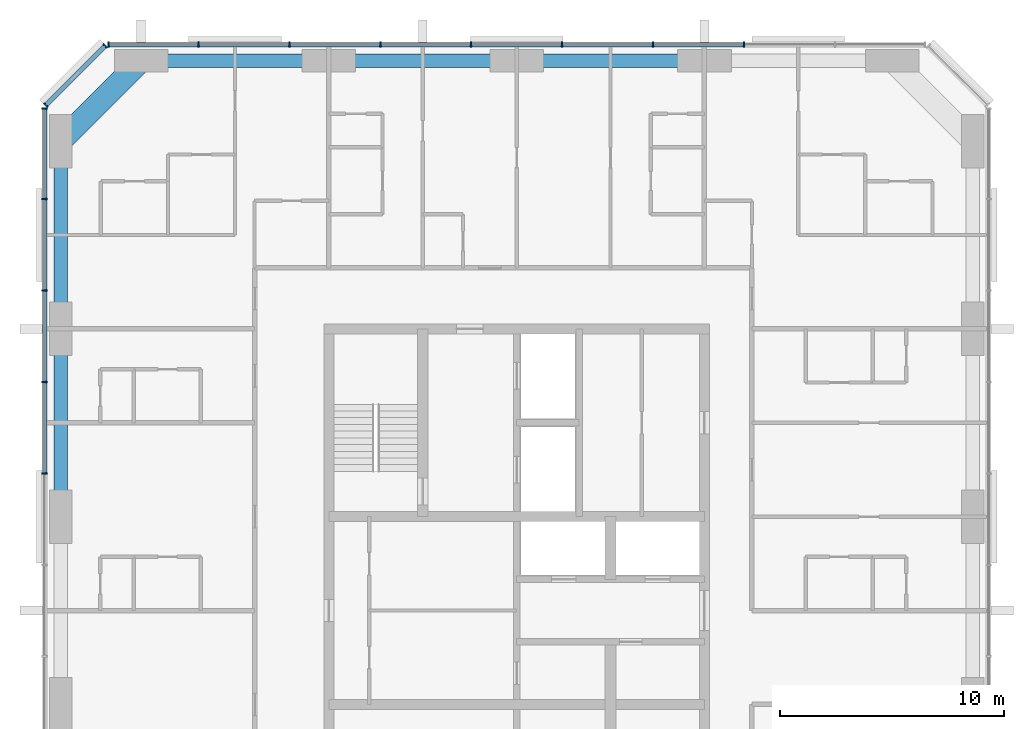
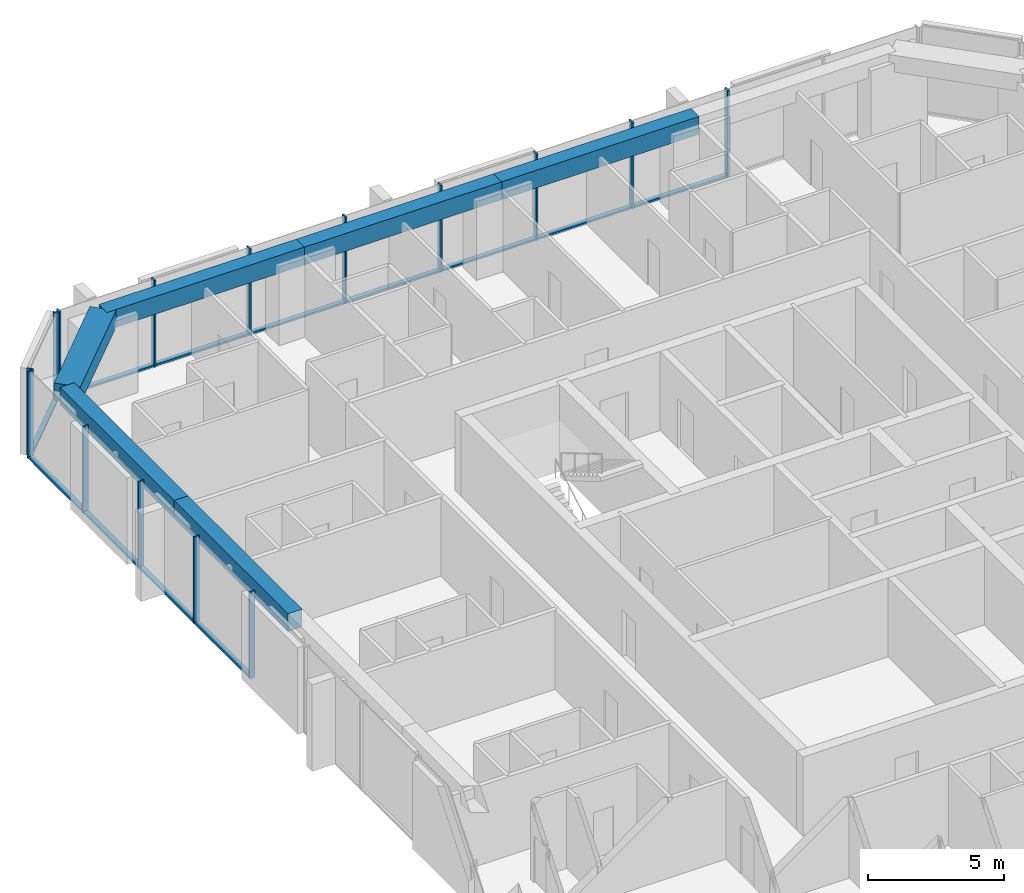
# One storey, part 4 of 13: 27 members, 6 beams, 3 elements without a shape of their own.
"""IFC4 building model written with IfcOpenShell, lengths in metres."""

from ifc_helpers import new_model, si_unit, direction, frame, origin, origin_2d, place, context, subcontext, project, spatial, rectangle, extrude, material, material_profile, profile_set, type_object, element, aggregate, save


model = new_model("IFC4")

# Units and contexts
model_context = context("Model", 3, precision=1e-05, world=origin(), true_north=direction((0.0, 1.0)))
body_context = subcontext(model_context, "Body", "Model", "MODEL_VIEW")
ifc_project = project(units=[si_unit("LENGTHUNIT", "METRE"), si_unit("AREAUNIT", "SQUARE_METRE"), si_unit("VOLUMEUNIT", "CUBIC_METRE"), si_unit("PLANEANGLEUNIT", "RADIAN"), si_unit("MASSUNIT", "GRAM", prefix="KILO")], contexts=[model_context])

# Site, building, storey
site_placement = place(None, origin())
site = spatial("IfcSite", under=ifc_project, at=site_placement, CompositionType="ELEMENT")
building_placement = place(site_placement, origin())
building = spatial("IfcBuilding", under=site, at=building_placement, Name="Dunama Terrace Hotel", CompositionType="ELEMENT")
storey_placement = place(building_placement, frame((0.0, 0.0, 276.300048828125)))
storey = spatial("IfcBuildingStorey", under=building, at=storey_placement, Name="L71", CompositionType="ELEMENT", Elevation=276.300048828125)

# Curtain wall, members
ifc_material_1 = material(Name="Aluminium curtain wall system", Category="aluminium")
curtain_wall_type = type_object("IfcCurtainWallType", Name="Unitised fritted glass wall CW-D", PredefinedType="NOTDEFINED", material=ifc_material_1)
curtain_wall_1_placement = place(storey_placement, origin())
curtain_wall_1 = element("IfcCurtainWall", 1, at=curtain_wall_1_placement, inside=storey, type_object=curtain_wall_type, Name="Unitised fritted glass wall CW-D L71", PredefinedType="NOTDEFINED")
ifc_material_2 = material(Name="Aluminium mullion", Category="aluminium")
ifc_material_profile_1 = material_profile(ifc_material_2, rectangle(XDim=0.070068359375, YDim=0.239990234375, at=origin_2d()), Name="CWD MULLION 70X240")
ifc_profile_set_1 = profile_set([ifc_material_profile_1], Name="Aluminium mullion")
member_type_1 = type_object("IfcMemberType", Name="CWD mullion 70x240", PredefinedType="MULLION", material=ifc_profile_set_1)
member_1_placement = place(storey_placement, frame((43.76708984375, 54.719970703125, 0.0), z_axis=(0.0, 0.0, 1.0), x_axis=(-1.0, 0.0, 0.0)))
member_1 = element("IfcMember", 2, at=member_1_placement, type_object=member_type_1, Name="CWD mullion", PredefinedType="MULLION", context=body_context, shape_type="SweptSolid", body=[
    extrude(rectangle(XDim=0.070068359375, YDim=0.239990234375, at=origin_2d()), origin(), (0.0, 0.0, 1.0), 3.89990234375),
])
member_2_placement = place(storey_placement, frame((39.699951171875, 54.719970703125, 0.0), z_axis=(0.0, 0.0, 1.0), x_axis=(-1.0, 0.0, 0.0)))
member_2 = element("IfcMember", 3, at=member_2_placement, type_object=member_type_1, Name="CWD mullion", PredefinedType="MULLION", context=body_context, shape_type="SweptSolid", body=[
    extrude(rectangle(XDim=0.070068359375, YDim=0.239990234375, at=origin_2d()), origin(), (0.0, 0.0, 1.0), 3.89990234375),
])
member_3_placement = place(storey_placement, frame((35.633056640625, 54.719970703125, 0.0), z_axis=(0.0, 0.0, 1.0), x_axis=(-1.0, 0.0, 0.0)))
member_3 = element("IfcMember", 4, at=member_3_placement, type_object=member_type_1, Name="CWD mullion", PredefinedType="MULLION", context=body_context, shape_type="SweptSolid", body=[
    extrude(rectangle(XDim=0.070068359375, YDim=0.239990234375, at=origin_2d()), origin(), (0.0, 0.0, 1.0), 3.89990234375),
])
member_4_placement = place(storey_placement, frame((31.56689453125, 54.719970703125, 0.0), z_axis=(0.0, 0.0, 1.0), x_axis=(-1.0, 0.0, 0.0)))
member_4 = element("IfcMember", 5, at=member_4_placement, type_object=member_type_1, Name="CWD mullion", PredefinedType="MULLION", context=body_context, shape_type="SweptSolid", body=[
    extrude(rectangle(XDim=0.070068359375, YDim=0.239990234375, at=origin_2d()), origin(), (0.0, 0.0, 1.0), 3.89990234375),
])
member_5_placement = place(storey_placement, frame((27.5, 54.719970703125, 0.0), z_axis=(0.0, 0.0, 1.0), x_axis=(-1.0, 0.0, 0.0)))
member_5 = element("IfcMember", 6, at=member_5_placement, type_object=member_type_1, Name="CWD mullion", PredefinedType="MULLION", context=body_context, shape_type="SweptSolid", body=[
    extrude(rectangle(XDim=0.070068359375, YDim=0.239990234375, at=origin_2d()), origin(), (0.0, 0.0, 1.0), 3.89990234375),
])
member_6_placement = place(storey_placement, frame((23.43310546875, 54.719970703125, 0.0), z_axis=(0.0, 0.0, 1.0), x_axis=(-1.0, 0.0, 0.0)))
member_6 = element("IfcMember", 7, at=member_6_placement, type_object=member_type_1, Name="CWD mullion", PredefinedType="MULLION", context=body_context, shape_type="SweptSolid", body=[
    extrude(rectangle(XDim=0.070068359375, YDim=0.239990234375, at=origin_2d()), origin(), (0.0, 0.0, 1.0), 3.89990234375),
])
member_7_placement = place(storey_placement, frame((19.366943359375, 54.719970703125, 0.0), z_axis=(0.0, 0.0, 1.0), x_axis=(-1.0, 0.0, 0.0)))
member_7 = element("IfcMember", 8, at=member_7_placement, type_object=member_type_1, Name="CWD mullion", PredefinedType="MULLION", context=body_context, shape_type="SweptSolid", body=[
    extrude(rectangle(XDim=0.070068359375, YDim=0.239990234375, at=origin_2d()), origin(), (0.0, 0.0, 1.0), 3.89990234375),
])
member_8_placement = place(storey_placement, frame((15.3349609375, 54.719970703125, 0.0), z_axis=(0.0, 0.0, 1.0), x_axis=(-1.0, 0.0, 0.0)))
member_8 = element("IfcMember", 9, at=member_8_placement, type_object=member_type_1, Name="CWD mullion", PredefinedType="MULLION", context=body_context, shape_type="SweptSolid", body=[
    extrude(rectangle(XDim=0.070068359375, YDim=0.239990234375, at=origin_2d()), origin(), (0.0, 0.0, 1.0), 3.89990234375),
])

curtain_wall_2_placement = place(storey_placement, origin())
curtain_wall_2 = element("IfcCurtainWall", 10, at=curtain_wall_2_placement, inside=storey, type_object=curtain_wall_type, Name="Unitised fritted glass wall CW-D L71", PredefinedType="NOTDEFINED")
member_9_placement = place(storey_placement, frame((15.18994140625, 54.659912109375, 0.0), z_axis=(0.0, 0.0, 1.0), x_axis=(-0.707106781187, -0.707106781187, 0.0)))
member_9 = element("IfcMember", 11, at=member_9_placement, type_object=member_type_1, Name="CWD mullion", PredefinedType="MULLION", context=body_context, shape_type="SweptSolid", body=[
    extrude(rectangle(XDim=0.070068359375, YDim=0.239990234375, at=origin_2d()), origin(), (0.0, 0.0, 1.0), 3.89990234375),
])
member_10_placement = place(storey_placement, frame((12.5400390625, 52.010009765625, 0.0), z_axis=(0.0, 0.0, 1.0), x_axis=(-0.707106781187, -0.707106781187, 0.0)))
member_10 = element("IfcMember", 12, at=member_10_placement, type_object=member_type_1, Name="CWD mullion", PredefinedType="MULLION", context=body_context, shape_type="SweptSolid", body=[
    extrude(rectangle(XDim=0.070068359375, YDim=0.239990234375, at=origin_2d()), origin(), (0.0, 0.0, 1.0), 3.89990234375),
])

curtain_wall_3_placement = place(storey_placement, origin())
curtain_wall_3 = element("IfcCurtainWall", 13, at=curtain_wall_3_placement, inside=storey, type_object=curtain_wall_type, Name="Unitised fritted glass wall CW-D L71", PredefinedType="NOTDEFINED")
member_11_placement = place(storey_placement, frame((12.47998046875, 51.864990234375, 0.0), z_axis=(0.0, 0.0, 1.0), x_axis=(0.0, -1.0, 0.0)))
member_11 = element("IfcMember", 14, at=member_11_placement, type_object=member_type_1, Name="CWD mullion", PredefinedType="MULLION", context=body_context, shape_type="SweptSolid", body=[
    extrude(rectangle(XDim=0.070068359375, YDim=0.239990234375, at=origin_2d()), origin(), (0.0, 0.0, 1.0), 3.89990234375),
])
member_12_placement = place(storey_placement, frame((12.47998046875, 47.80908203125, 0.0), z_axis=(0.0, 0.0, 1.0), x_axis=(0.0, -1.0, 0.0)))
member_12 = element("IfcMember", 15, at=member_12_placement, type_object=member_type_1, Name="CWD mullion", PredefinedType="MULLION", context=body_context, shape_type="SweptSolid", body=[
    extrude(rectangle(XDim=0.070068359375, YDim=0.239990234375, at=origin_2d()), origin(), (0.0, 0.0, 1.0), 3.89990234375),
])
member_13_placement = place(storey_placement, frame((12.47998046875, 43.718017578125, 0.0), z_axis=(0.0, 0.0, 1.0), x_axis=(0.0, -1.0, 0.0)))
member_13 = element("IfcMember", 16, at=member_13_placement, type_object=member_type_1, Name="CWD mullion", PredefinedType="MULLION", context=body_context, shape_type="SweptSolid", body=[
    extrude(rectangle(XDim=0.070068359375, YDim=0.239990234375, at=origin_2d()), origin(), (0.0, 0.0, 1.0), 3.89990234375),
])
member_14_placement = place(storey_placement, frame((12.47998046875, 39.626953125, 0.0), z_axis=(0.0, 0.0, 1.0), x_axis=(0.0, -1.0, 0.0)))
member_14 = element("IfcMember", 17, at=member_14_placement, type_object=member_type_1, Name="CWD mullion", PredefinedType="MULLION", context=body_context, shape_type="SweptSolid", body=[
    extrude(rectangle(XDim=0.070068359375, YDim=0.239990234375, at=origin_2d()), origin(), (0.0, 0.0, 1.0), 3.89990234375),
])
member_15_placement = place(storey_placement, frame((12.47998046875, 35.535888671875, 0.0), z_axis=(0.0, 0.0, 1.0), x_axis=(0.0, -1.0, 0.0)))
member_15 = element("IfcMember", 18, at=member_15_placement, type_object=member_type_1, Name="CWD mullion", PredefinedType="MULLION", context=body_context, shape_type="SweptSolid", body=[
    extrude(rectangle(XDim=0.070068359375, YDim=0.239990234375, at=origin_2d()), origin(), (0.0, 0.0, 1.0), 3.89990234375),
])

# Member
ifc_material_3 = material(Name="Aluminium transom", Category="aluminium")
ifc_material_profile_2 = material_profile(ifc_material_3, rectangle(XDim=0.199951171875, YDim=0.0849609375, at=origin_2d()), Name="CWD TRANSOM 200X85")
ifc_profile_set_2 = profile_set([ifc_material_profile_2], Name="Aluminium transom")
member_type_2 = type_object("IfcMemberType", Name="CWD transom 200x85", PredefinedType="USERDEFINED", material=ifc_profile_set_2)
member_16_placement = place(storey_placement, frame((43.73193359375, 54.719970703125, 0.04248046875), z_axis=(-1.0, 0.0, 0.0), x_axis=(0.0, -1.0, 0.0)))
member_16 = element("IfcMember", 19, at=member_16_placement, type_object=member_type_2, Name="CWD transom", ObjectType="TRANSOM", PredefinedType="USERDEFINED", context=body_context, shape_type="SweptSolid", body=[
    extrude(rectangle(XDim=0.199951171875, YDim=0.0849609375, at=origin_2d()), origin(), (0.0, 0.0, 1.0), 3.996826171875),
])

member_17_placement = place(storey_placement, frame((39.6650390625, 54.719970703125, 0.04248046875), z_axis=(-1.0, 0.0, 0.0), x_axis=(0.0, -1.0, 0.0)))
member_17 = element("IfcMember", 20, at=member_17_placement, type_object=member_type_2, Name="CWD transom", ObjectType="TRANSOM", PredefinedType="USERDEFINED", context=body_context, shape_type="SweptSolid", body=[
    extrude(rectangle(XDim=0.199951171875, YDim=0.0849609375, at=origin_2d()), origin(), (0.0, 0.0, 1.0), 3.9970703125),
])

member_18_placement = place(storey_placement, frame((35.597900390625, 54.719970703125, 0.04248046875), z_axis=(-1.0, 0.0, 0.0), x_axis=(0.0, -1.0, 0.0)))
member_18 = element("IfcMember", 21, at=member_18_placement, type_object=member_type_2, Name="CWD transom", ObjectType="TRANSOM", PredefinedType="USERDEFINED", context=body_context, shape_type="SweptSolid", body=[
    extrude(rectangle(XDim=0.199951171875, YDim=0.0849609375, at=origin_2d()), origin(), (0.0, 0.0, 1.0), 3.995849609375),
])

member_19_placement = place(storey_placement, frame((31.531982421875, 54.719970703125, 0.04248046875), z_axis=(-1.0, 0.0, 0.0), x_axis=(0.0, -1.0, 0.0)))
member_19 = element("IfcMember", 22, at=member_19_placement, type_object=member_type_2, Name="CWD transom", ObjectType="TRANSOM", PredefinedType="USERDEFINED", context=body_context, shape_type="SweptSolid", body=[
    extrude(rectangle(XDim=0.199951171875, YDim=0.0849609375, at=origin_2d()), origin(), (0.0, 0.0, 1.0), 3.9970703125),
])

member_20_placement = place(storey_placement, frame((27.465087890625, 54.719970703125, 0.04248046875), z_axis=(-1.0, 0.0, 0.0), x_axis=(0.0, -1.0, 0.0)))
member_20 = element("IfcMember", 23, at=member_20_placement, type_object=member_type_2, Name="CWD transom", ObjectType="TRANSOM", PredefinedType="USERDEFINED", context=body_context, shape_type="SweptSolid", body=[
    extrude(rectangle(XDim=0.199951171875, YDim=0.0849609375, at=origin_2d()), origin(), (0.0, 0.0, 1.0), 3.9970703125),
])

member_21_placement = place(storey_placement, frame((23.39794921875, 54.719970703125, 0.04248046875), z_axis=(-1.0, 0.0, 0.0), x_axis=(0.0, -1.0, 0.0)))
member_21 = element("IfcMember", 24, at=member_21_placement, type_object=member_type_2, Name="CWD transom", ObjectType="TRANSOM", PredefinedType="USERDEFINED", context=body_context, shape_type="SweptSolid", body=[
    extrude(rectangle(XDim=0.199951171875, YDim=0.0849609375, at=origin_2d()), origin(), (0.0, 0.0, 1.0), 3.995849609375),
])

member_22_placement = place(storey_placement, frame((19.33203125, 54.719970703125, 0.04248046875), z_axis=(-1.0, 0.0, 0.0), x_axis=(0.0, -1.0, 0.0)))
member_22 = element("IfcMember", 25, at=member_22_placement, type_object=member_type_2, Name="CWD transom", ObjectType="TRANSOM", PredefinedType="USERDEFINED", context=body_context, shape_type="SweptSolid", body=[
    extrude(rectangle(XDim=0.199951171875, YDim=0.0849609375, at=origin_2d()), origin(), (0.0, 0.0, 1.0), 3.9619140625),
])

aggregate(curtain_wall_1, [member_1, member_2, member_3, member_4, member_5, member_6, member_7, member_8, member_16, member_17, member_18, member_19, member_20, member_21, member_22])

member_23_placement = place(storey_placement, frame((15.166015625, 54.635009765625, 0.04248046875), z_axis=(-0.707106781187, -0.707106781187, 0.0), x_axis=(0.707106781187, -0.707106781187, 0.0)))
member_23 = element("IfcMember", 26, at=member_23_placement, type_object=member_type_2, Name="CWD transom", ObjectType="TRANSOM", PredefinedType="USERDEFINED", context=body_context, shape_type="SweptSolid", body=[
    extrude(rectangle(XDim=0.199951171875, YDim=0.0849609375, at=origin_2d()), origin(), (0.0, 0.0, 1.0), 3.678466796875),
])

aggregate(curtain_wall_2, [member_9, member_10, member_23])

member_24_placement = place(storey_placement, frame((12.47998046875, 51.830078125, 0.04248046875), z_axis=(0.0, -1.0, 0.0), x_axis=(1.0, 0.0, 0.0)))
member_24 = element("IfcMember", 27, at=member_24_placement, type_object=member_type_2, Name="CWD transom", ObjectType="TRANSOM", PredefinedType="USERDEFINED", context=body_context, shape_type="SweptSolid", body=[
    extrude(rectangle(XDim=0.199951171875, YDim=0.0849609375, at=origin_2d()), origin(), (0.0, 0.0, 1.0), 3.986083984375),
])

member_25_placement = place(storey_placement, frame((12.47998046875, 47.77392578125, 0.04248046875), z_axis=(0.0, -1.0, 0.0), x_axis=(1.0, 0.0, 0.0)))
member_25 = element("IfcMember", 28, at=member_25_placement, type_object=member_type_2, Name="CWD transom", ObjectType="TRANSOM", PredefinedType="USERDEFINED", context=body_context, shape_type="SweptSolid", body=[
    extrude(rectangle(XDim=0.199951171875, YDim=0.0849609375, at=origin_2d()), origin(), (0.0, 0.0, 1.0), 4.02099609375),
])

member_26_placement = place(storey_placement, frame((12.47998046875, 43.68310546875, 0.04248046875), z_axis=(0.0, -1.0, 0.0), x_axis=(1.0, 0.0, 0.0)))
member_26 = element("IfcMember", 29, at=member_26_placement, type_object=member_type_2, Name="CWD transom", ObjectType="TRANSOM", PredefinedType="USERDEFINED", context=body_context, shape_type="SweptSolid", body=[
    extrude(rectangle(XDim=0.199951171875, YDim=0.0849609375, at=origin_2d()), origin(), (0.0, 0.0, 1.0), 4.02099609375),
])

member_27_placement = place(storey_placement, frame((12.47998046875, 39.592041015625, 0.04248046875), z_axis=(0.0, -1.0, 0.0), x_axis=(1.0, 0.0, 0.0)))
member_27 = element("IfcMember", 30, at=member_27_placement, type_object=member_type_2, Name="CWD transom", ObjectType="TRANSOM", PredefinedType="USERDEFINED", context=body_context, shape_type="SweptSolid", body=[
    extrude(rectangle(XDim=0.199951171875, YDim=0.0849609375, at=origin_2d()), origin(), (0.0, 0.0, 1.0), 4.02099609375),
])

aggregate(curtain_wall_3, [member_11, member_12, member_13, member_14, member_15, member_24, member_25, member_26, member_27])

# Beams
ifc_material_4 = material(Name="Concrete C50/60", Category="concrete")
ifc_material_profile_3 = material_profile(ifc_material_4, rectangle(XDim=1.0, YDim=0.75, at=origin_2d()), Name="RC 1000x750")
ifc_profile_set_3 = profile_set([ifc_material_profile_3], Name="Concrete C50/60")
beam_type_1 = type_object("IfcBeamType", Name="Edge beam RC 1000x750", PredefinedType="SPANDREL", material=ifc_profile_set_3)
beam_1_placement = place(storey_placement, frame((16.800048828125, 54.0, 3.52490234375), z_axis=(-0.707106781187, -0.707106781187, 0.0), x_axis=(0.707106781187, -0.707106781187, 0.0)))
element("IfcBeam", 31, at=beam_1_placement, inside=storey, type_object=beam_type_1, Name="Corner edge beam under L72", PredefinedType="SPANDREL", context=body_context, shape_type="SweptSolid", body=[
    extrude(rectangle(XDim=1.0, YDim=0.75, at=origin_2d()), origin(), (0.0, 0.0, 1.0), 5.09130859375),
])
ifc_material_5 = material(Name="Concrete C40/50", Category="concrete")
ifc_material_profile_4 = material_profile(ifc_material_5, rectangle(XDim=0.60009765625, YDim=0.800048828125, at=origin_2d()), Name="RC 600x800")
ifc_profile_set_4 = profile_set([ifc_material_profile_4], Name="Concrete C40/50")
beam_type_2 = type_object("IfcBeamType", Name="Edge beam RC 600x800", PredefinedType="SPANDREL", material=ifc_profile_set_4)
for number, where, z_axis, x_axis, name in (
    (32, (13.199951171875, 33.60009765625, 3.5), (0.0, 1.0, 0.0), (-1.0, 0.0, 0.0), "Edge beam under L72"),
    (33, (13.199951171875, 42.0, 3.5), (0.0, 1.0, 0.0), (-1.0, 0.0, 0.0), "Edge beam under L72"),
    (34, (16.800048828125, 54.0, 3.5), (1.0, 0.0, 0.0), (0.0, 1.0, 0.0), "Edge beam under L72"),
):
    element("IfcBeam", number, at=place(storey_placement, frame(where, z_axis=z_axis, x_axis=x_axis)), inside=storey, type_object=beam_type_2, Name=name, PredefinedType="SPANDREL", context=body_context, shape_type="SweptSolid", body=[
        extrude(rectangle(XDim=0.60009765625, YDim=0.800048828125, at=origin_2d()), origin(), (0.0, 0.0, 1.0), 8.39990234375),
    ])
beam_2_placement = place(storey_placement, frame((25.199951171875, 54.0, 3.5), z_axis=(1.0, 0.0, 0.0), x_axis=(0.0, 1.0, 0.0)))
element("IfcBeam", 35, at=beam_2_placement, inside=storey, type_object=beam_type_2, Name="Edge beam under L72", PredefinedType="SPANDREL", context=body_context, shape_type="SweptSolid", body=[
    extrude(rectangle(XDim=0.60009765625, YDim=0.800048828125, at=origin_2d()), origin(), (0.0, 0.0, 1.0), 8.400146484375),
])
beam_3_placement = place(storey_placement, frame((33.60009765625, 54.0, 3.5), z_axis=(1.0, 0.0, 0.0), x_axis=(0.0, 1.0, 0.0)))
element("IfcBeam", 36, at=beam_3_placement, inside=storey, type_object=beam_type_2, Name="Edge beam under L72", PredefinedType="SPANDREL", context=body_context, shape_type="SweptSolid", body=[
    extrude(rectangle(XDim=0.60009765625, YDim=0.800048828125, at=origin_2d()), origin(), (0.0, 0.0, 1.0), 8.39990234375),
])

save(model, "model.ifc")
